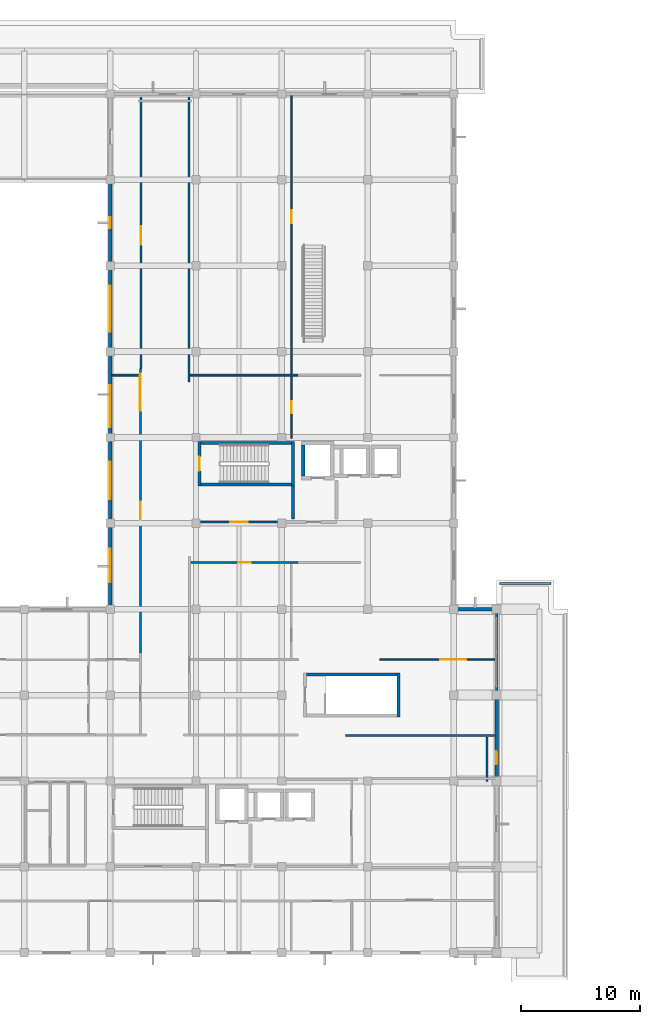
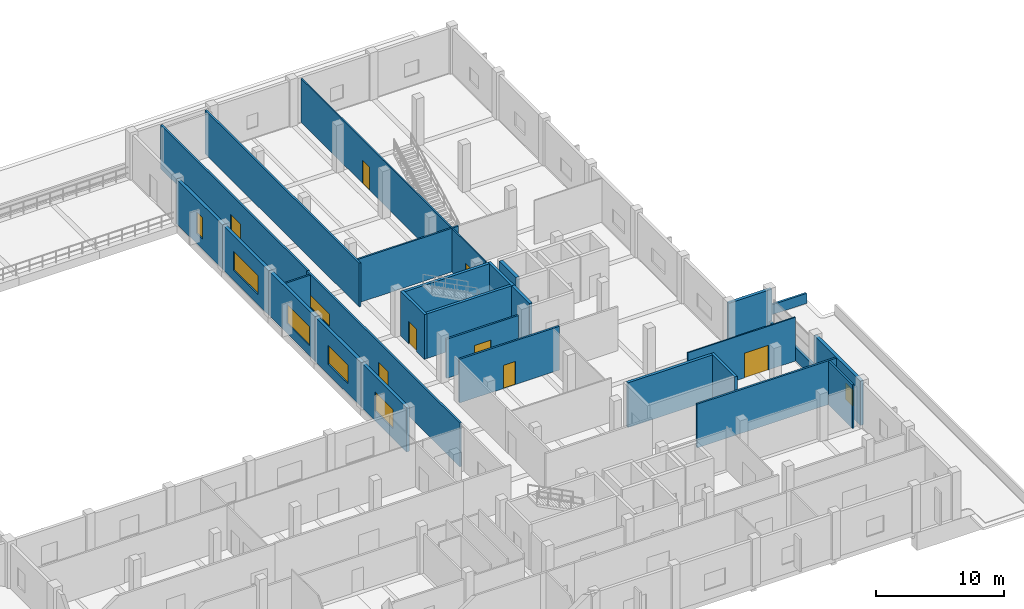
# One storey, part 14 of 24: 29 walls, 8 doors, 7 windows, 15 openings.
"""IFC4 building model written with IfcOpenShell, lengths in metres."""

from ifc_helpers import new_model, si_unit, direction, frame, frame_2d, origin, place, context, subcontext, project, spatial, rectangle, extrude, material, layer, layer_set, type_object, element, fill, save


model = new_model("IFC4")

# Units and contexts
model_context = context("Model", 3, precision=1e-05, world=origin(), true_north=direction((0.0, 1.0)))
body_context = subcontext(model_context, "Body", "Model", "MODEL_VIEW")
ifc_project = project(units=[si_unit("LENGTHUNIT", "METRE"), si_unit("AREAUNIT", "SQUARE_METRE"), si_unit("VOLUMEUNIT", "CUBIC_METRE"), si_unit("PLANEANGLEUNIT", "RADIAN"), si_unit("MASSUNIT", "GRAM", prefix="KILO")], contexts=[model_context])

# Site, building, storey
site_placement = place(None, origin())
site = spatial("IfcSite", under=ifc_project, at=site_placement, CompositionType="ELEMENT")
building_placement = place(site_placement, origin())
building = spatial("IfcBuilding", under=site, at=building_placement, Name="Seraya Terrace Polytechnic", CompositionType="ELEMENT")
storey_placement = place(building_placement, frame((0.0, 0.0, 18.89990234375)))
storey = spatial("IfcBuildingStorey", under=building, at=storey_placement, Name="L04", CompositionType="ELEMENT", Elevation=18.89990234375)

# Wall, opening, window
ifc_material_1 = material(Name="Precast concrete C40/50", Category="concrete")
ifc_layer_1 = layer(ifc_material_1, 0.280029296875, Name="EW-02")
ifc_layer_set_1 = layer_set([ifc_layer_1], Name="Precast concrete C40/50")
wall_type_1 = type_object("IfcWallType", Name="EW-02", PredefinedType="SOLIDWALL", material=ifc_layer_set_1)
wall_1_placement = place(storey_placement, frame((111.60009765625, 21.60009765625, 0.0), z_axis=(0.0, 0.0, 1.0), x_axis=(0.0, -1.0, 0.0)))
wall_1 = element("IfcWall", 1, at=wall_1_placement, inside=storey, type_object=wall_type_1, Name="Exterior structural wall EW-02 L04", PredefinedType="SOLIDWALL", context=body_context, shape_type="SweptSolid", body=[
    extrude(rectangle(XDim=7.2001953125, YDim=0.280029296875, at=frame_2d((3.60009765625, 0.0))), origin(), (0.0, 0.0, 1.0), 4.22021484375),
])
opening_1_placement = place(wall_1_placement, frame((4.7099609375, 0.0, 0.949951171875)))
opening_1 = element("IfcOpeningElement", 2, at=opening_1_placement, cuts=wall_1, Name="Opening WN-13", PredefinedType="OPENING", context=body_context, shape_type="SweptSolid", body=[
    extrude(rectangle(XDim=1.10009765625, YDim=1.550048828125, at=frame_2d((0.550048828125, 0.77490234375))), frame((0.0, 0.15185546875, 0.0), z_axis=(0.0, -1.0, 0.0), x_axis=(1.0, 0.0, 0.0)), (0.0, 0.0, 1.0), 0.303955078125),
])
ifc_material_2 = material(Name="Laminated solar-control Low-E double glazing", Category="glass")
window_type_1 = type_object("IfcWindowType", Name="WN-13", PartitioningType="SINGLE_PANEL", PredefinedType="WINDOW", material=ifc_material_2)
window_1_placement = place(opening_1_placement, origin())
window_1 = element("IfcWindow", 3, at=window_1_placement, inside=storey, type_object=window_type_1, Name="Exterior window WN-13 L04", OverallHeight=1.550048828125, OverallWidth=1.10009765625, PartitioningType="SINGLE_PANEL", PredefinedType="WINDOW", context=body_context, shape_type="SweptSolid", body=[
    extrude(rectangle(XDim=1.10009765625, YDim=1.550048828125, at=frame_2d((0.550048828125, 0.77490234375))), frame((0.0, 0.030029296875, 0.0), z_axis=(0.0, -1.0, 0.0), x_axis=(1.0, 0.0, 0.0)), (0.0, 0.0, 1.0), 0.06005859375),
])
fill(opening_1, window_1)

wall_2_placement = place(storey_placement, frame((79.199951171875, 28.951904296875, 0.0), z_axis=(0.0, 0.0, 1.0), x_axis=(0.0, 1.0, 0.0)))
wall_2 = element("IfcWall", 4, at=wall_2_placement, inside=storey, type_object=wall_type_1, Name="Exterior structural wall EW-02 L04", PredefinedType="SOLIDWALL", context=body_context, shape_type="SweptSolid", body=[
    extrude(rectangle(XDim=7.048095703125, YDim=0.280029296875, at=frame_2d((3.52392578125, 0.0))), origin(), (0.0, 0.0, 1.0), 4.22021484375),
])
opening_2_placement = place(wall_2_placement, frame((2.1240234375, 0.0, 0.949951171875)))
opening_2 = element("IfcOpeningElement", 5, at=opening_2_placement, cuts=wall_2, Name="Opening WN-33", PredefinedType="OPENING", context=body_context, shape_type="SweptSolid", body=[
    extrude(rectangle(XDim=2.800048828125, YDim=1.800048828125, at=frame_2d((1.39990234375, 0.89990234375))), frame((0.0, 0.15185546875, 0.0), z_axis=(0.0, -1.0, 0.0), x_axis=(1.0, 0.0, 0.0)), (0.0, 0.0, 1.0), 0.303955078125),
])
window_type_2 = type_object("IfcWindowType", Name="WN-33", PartitioningType="SINGLE_PANEL", PredefinedType="WINDOW", material=ifc_material_2)
window_2_placement = place(opening_2_placement, origin())
window_2 = element("IfcWindow", 6, at=window_2_placement, inside=storey, type_object=window_type_2, Name="Exterior window WN-33 L04", OverallHeight=1.800048828125, OverallWidth=2.800048828125, PartitioningType="SINGLE_PANEL", PredefinedType="WINDOW", context=body_context, shape_type="SweptSolid", body=[
    extrude(rectangle(XDim=2.800048828125, YDim=1.800048828125, at=frame_2d((1.39990234375, 0.89990234375))), frame((0.0, 0.030029296875, 0.0), z_axis=(0.0, -1.0, 0.0), x_axis=(1.0, 0.0, 0.0)), (0.0, 0.0, 1.0), 0.06005859375),
])
fill(opening_2, window_2)

wall_3_placement = place(storey_placement, frame((79.199951171875, 36.0, 0.0), z_axis=(0.0, 0.0, 1.0), x_axis=(0.0, 1.0, 0.0)))
wall_3 = element("IfcWall", 7, at=wall_3_placement, inside=storey, type_object=wall_type_1, Name="Exterior structural wall EW-02 L04", PredefinedType="SOLIDWALL", context=body_context, shape_type="SweptSolid", body=[
    extrude(rectangle(XDim=7.199951171875, YDim=0.280029296875, at=frame_2d((3.60009765625, 0.0))), origin(), (0.0, 0.0, 1.0), 4.22021484375),
])
opening_3_placement = place(wall_3_placement, frame((2.02490234375, 0.0, 0.949951171875)))
opening_3 = element("IfcOpeningElement", 8, at=opening_3_placement, cuts=wall_3, Name="Opening WN-34", PredefinedType="OPENING", context=body_context, shape_type="SweptSolid", body=[
    extrude(rectangle(XDim=3.14990234375, YDim=1.800048828125, at=frame_2d((1.574951171875, 0.89990234375))), frame((0.0, 0.15185546875, 0.0), z_axis=(0.0, -1.0, 0.0), x_axis=(1.0, 0.0, 0.0)), (0.0, 0.0, 1.0), 0.303955078125),
])
window_type_3 = type_object("IfcWindowType", Name="WN-34", PartitioningType="SINGLE_PANEL", PredefinedType="WINDOW", material=ifc_material_2)
window_3_placement = place(opening_3_placement, origin())
window_3 = element("IfcWindow", 9, at=window_3_placement, inside=storey, type_object=window_type_3, Name="Exterior window WN-34 L04", OverallHeight=1.800048828125, OverallWidth=3.14990234375, PartitioningType="SINGLE_PANEL", PredefinedType="WINDOW", context=body_context, shape_type="SweptSolid", body=[
    extrude(rectangle(XDim=3.14990234375, YDim=1.800048828125, at=frame_2d((1.574951171875, 0.89990234375))), frame((0.0, 0.030029296875, 0.0), z_axis=(0.0, -1.0, 0.0), x_axis=(1.0, 0.0, 0.0)), (0.0, 0.0, 1.0), 0.06005859375),
])
fill(opening_3, window_3)

wall_4_placement = place(storey_placement, frame((79.199951171875, 43.199951171875, 0.0), z_axis=(0.0, 0.0, 1.0), x_axis=(0.0, 1.0, 0.0)))
wall_4 = element("IfcWall", 10, at=wall_4_placement, inside=storey, type_object=wall_type_1, Name="Exterior structural wall EW-02 L04", PredefinedType="SOLIDWALL", context=body_context, shape_type="SweptSolid", body=[
    extrude(rectangle(XDim=7.199951171875, YDim=0.280029296875, at=frame_2d((3.60009765625, 0.0))), origin(), (0.0, 0.0, 1.0), 4.22021484375),
])
opening_4_placement = place(wall_4_placement, frame((0.873291015625, 0.0, 0.949951171875)))
opening_4 = element("IfcOpeningElement", 11, at=opening_4_placement, cuts=wall_4, Name="Opening WN-35", PredefinedType="OPENING", context=body_context, shape_type="SweptSolid", body=[
    extrude(rectangle(XDim=3.5, YDim=1.800048828125, at=frame_2d((1.75, 0.89990234375))), frame((0.0, 0.15185546875, 0.0), z_axis=(0.0, -1.0, 0.0), x_axis=(1.0, 0.0, 0.0)), (0.0, 0.0, 1.0), 0.303955078125),
])
window_type_4 = type_object("IfcWindowType", Name="WN-35", PartitioningType="SINGLE_PANEL", PredefinedType="WINDOW", material=ifc_material_2)
window_4_placement = place(opening_4_placement, origin())
window_4 = element("IfcWindow", 12, at=window_4_placement, inside=storey, type_object=window_type_4, Name="Exterior window WN-35 L04", OverallHeight=1.800048828125, OverallWidth=3.5, PartitioningType="SINGLE_PANEL", PredefinedType="WINDOW", context=body_context, shape_type="SweptSolid", body=[
    extrude(rectangle(XDim=3.5, YDim=1.800048828125, at=frame_2d((1.75, 0.89990234375))), frame((0.0, 0.030029296875, 0.0), z_axis=(0.0, -1.0, 0.0), x_axis=(1.0, 0.0, 0.0)), (0.0, 0.0, 1.0), 0.06005859375),
])
fill(opening_4, window_4)

wall_5_placement = place(storey_placement, frame((79.199951171875, 50.39990234375, 0.0), z_axis=(0.0, 0.0, 1.0), x_axis=(0.0, 1.0, 0.0)))
wall_5 = element("IfcWall", 13, at=wall_5_placement, inside=storey, type_object=wall_type_1, Name="Exterior structural wall EW-02 L04", PredefinedType="SOLIDWALL", context=body_context, shape_type="SweptSolid", body=[
    extrude(rectangle(XDim=7.2001953125, YDim=0.280029296875, at=frame_2d((3.60009765625, 0.0))), origin(), (0.0, 0.0, 1.0), 4.22021484375),
])
opening_5_placement = place(wall_5_placement, frame((1.675048828125, 0.0, 0.949951171875)))
opening_5 = element("IfcOpeningElement", 14, at=opening_5_placement, cuts=wall_5, Name="Opening WN-36", PredefinedType="OPENING", context=body_context, shape_type="SweptSolid", body=[
    extrude(rectangle(XDim=3.85009765625, YDim=1.800048828125, at=frame_2d((1.925048828125, 0.89990234375))), frame((0.0, 0.15185546875, 0.0), z_axis=(0.0, -1.0, 0.0), x_axis=(1.0, 0.0, 0.0)), (0.0, 0.0, 1.0), 0.303955078125),
])
window_type_5 = type_object("IfcWindowType", Name="WN-36", PartitioningType="SINGLE_PANEL", PredefinedType="WINDOW", material=ifc_material_2)
window_5_placement = place(opening_5_placement, origin())
window_5 = element("IfcWindow", 15, at=window_5_placement, inside=storey, type_object=window_type_5, Name="Exterior window WN-36 L04", OverallHeight=1.800048828125, OverallWidth=3.85009765625, PartitioningType="SINGLE_PANEL", PredefinedType="WINDOW", context=body_context, shape_type="SweptSolid", body=[
    extrude(rectangle(XDim=3.85009765625, YDim=1.800048828125, at=frame_2d((1.925048828125, 0.89990234375))), frame((0.0, 0.030029296875, 0.0), z_axis=(0.0, -1.0, 0.0), x_axis=(1.0, 0.0, 0.0)), (0.0, 0.0, 1.0), 0.06005859375),
])
fill(opening_5, window_5)

wall_6_placement = place(storey_placement, frame((79.199951171875, 57.60009765625, 0.0), z_axis=(0.0, 0.0, 1.0), x_axis=(0.0, 1.0, 0.0)))
wall_6 = element("IfcWall", 16, at=wall_6_placement, inside=storey, type_object=wall_type_1, Name="Exterior structural wall EW-02 L04", PredefinedType="SOLIDWALL", context=body_context, shape_type="SweptSolid", body=[
    extrude(rectangle(XDim=7.199951171875, YDim=0.280029296875, at=frame_2d((3.60009765625, 0.0))), origin(), (0.0, 0.0, 1.0), 4.22021484375),
])
opening_6_placement = place(wall_6_placement, frame((3.125, 0.0, 0.949951171875)))
opening_6 = element("IfcOpeningElement", 17, at=opening_6_placement, cuts=wall_6, Name="Opening WN-37", PredefinedType="OPENING", context=body_context, shape_type="SweptSolid", body=[
    extrude(rectangle(XDim=0.949951171875, YDim=2.050048828125, at=frame_2d((0.47509765625, 1.02490234375))), frame((0.0, 0.15185546875, 0.0), z_axis=(0.0, -1.0, 0.0), x_axis=(1.0, 0.0, 0.0)), (0.0, 0.0, 1.0), 0.303955078125),
])
window_type_6 = type_object("IfcWindowType", Name="WN-37", PartitioningType="SINGLE_PANEL", PredefinedType="WINDOW", material=ifc_material_2)
window_6_placement = place(opening_6_placement, origin())
window_6 = element("IfcWindow", 18, at=window_6_placement, inside=storey, type_object=window_type_6, Name="Exterior window WN-37 L04", OverallHeight=2.050048828125, OverallWidth=0.949951171875, PartitioningType="SINGLE_PANEL", PredefinedType="WINDOW", context=body_context, shape_type="SweptSolid", body=[
    extrude(rectangle(XDim=0.949951171875, YDim=2.050048828125, at=frame_2d((0.47509765625, 1.02490234375))), frame((0.0, 0.030029296875, 0.0), z_axis=(0.0, -1.0, 0.0), x_axis=(1.0, 0.0, 0.0)), (0.0, 0.0, 1.0), 0.06005859375),
])
fill(opening_6, window_6)

# Walls
wall_7_placement = place(storey_placement, frame((107.85009765625, 28.800048828125, 0.0), z_axis=(0.0, 0.0, 1.0), x_axis=(1.0, 0.0, 0.0)))
element("IfcWall", 19, at=wall_7_placement, inside=storey, type_object=wall_type_1, Name="Exterior structural wall EW-02 L04", PredefinedType="SOLIDWALL", context=body_context, shape_type="SweptSolid", body=[
    extrude(rectangle(XDim=3.89990234375, YDim=0.280029296875, at=frame_2d((1.949951171875, 0.0))), origin(), (0.0, 0.0, 1.0), 4.22021484375),
])
ifc_layer_2 = layer(ifc_material_1, 0.219970703125, Name="EW-05")
ifc_layer_set_2 = layer_set([ifc_layer_2], Name="Precast concrete C40/50")
wall_type_2 = type_object("IfcWallType", Name="EW-05", PredefinedType="SOLIDWALL", material=ifc_layer_set_2)
wall_8_placement = place(storey_placement, frame((111.60009765625, 28.64794921875, 0.0), z_axis=(0.0, 0.0, 1.0), x_axis=(0.0, -1.0, 0.0)))
element("IfcWall", 20, at=wall_8_placement, inside=storey, type_object=wall_type_2, Name="Precast spandrel wall L04", PredefinedType="SOLIDWALL", context=body_context, shape_type="SweptSolid", body=[
    extrude(rectangle(XDim=7.0478515625, YDim=0.219970703125, at=frame_2d((3.52392578125, 0.0))), origin(), (0.0, 0.0, 1.0), 1.239990234375),
])
ifc_material_3 = material(Name="Autoclaved aerated concrete blockwork", Category="masonry")
ifc_layer_3 = layer(ifc_material_3, 0.169921875, Name="PT-02")
ifc_layer_set_3 = layer_set([ifc_layer_3], Name="Autoclaved aerated concrete blockwork")
wall_type_3 = type_object("IfcWallType", Name="PT-02", PredefinedType="PARTITIONING", material=ifc_layer_set_3)
wall_9_placement = place(storey_placement, frame((98.9384765625, 18.199951171875, 0.0), z_axis=(0.0, 0.0, 1.0), x_axis=(1.0, 0.0, 0.0)))
element("IfcWall", 21, at=wall_9_placement, inside=storey, type_object=wall_type_3, Name="Internal partition PT-02 L04", PredefinedType="PARTITIONING", context=body_context, shape_type="SweptSolid", body=[
    extrude(rectangle(XDim=12.509521484375, YDim=0.169921875, at=frame_2d((6.2548828125, 0.0))), origin(), (0.0, 0.0, 1.0), 4.16015625),
])
wall_10_placement = place(storey_placement, frame((110.800048828125, 14.360107421875, 0.0), z_axis=(0.0, 0.0, 1.0), x_axis=(0.0, 1.0, 0.0)))
element("IfcWall", 22, at=wall_10_placement, inside=storey, type_object=wall_type_3, Name="Internal partition PT-02 L04", PredefinedType="PARTITIONING", context=body_context, shape_type="SweptSolid", body=[
    extrude(rectangle(XDim=3.739990234375, YDim=0.169921875, at=frame_2d((1.8701171875, 0.0))), origin(), (0.0, 0.0, 1.0), 4.16015625),
])

# Wall, openings, door, window
wall_11_placement = place(storey_placement, frame((81.72998046875, 25.13330078125, 0.0), z_axis=(0.0, 0.0, 1.0), x_axis=(0.0, 1.0, 0.0)))
wall_11 = element("IfcWall", 23, at=wall_11_placement, inside=storey, type_object=wall_type_3, Name="Internal partition PT-02 L04", PredefinedType="PARTITIONING", context=body_context, shape_type="SweptSolid", body=[
    extrude(rectangle(XDim=23.853515625, YDim=0.169921875, at=frame_2d((11.9267578125, 0.0))), origin(), (0.0, 0.0, 1.0), 4.16015625),
])
opening_7_placement = place(wall_11_placement, frame((11.186767578125, 0.0, 0.0)))
opening_7 = element("IfcOpeningElement", 24, at=opening_7_placement, cuts=wall_11, Name="Opening ID-11", PredefinedType="OPENING", context=body_context, shape_type="SweptSolid", body=[
    extrude(rectangle(XDim=1.47998046875, YDim=2.260009765625, at=frame_2d((0.739990234375, 1.1298828125))), frame((0.0, 0.096923828125, 0.0), z_axis=(0.0, -1.0, 0.0), x_axis=(1.0, 0.0, 0.0)), (0.0, 0.0, 1.0), 0.19384765625),
])
opening_8_placement = place(wall_11_placement, frame((20.303466796875, 0.0, 1.050048828125)))
opening_8 = element("IfcOpeningElement", 25, at=opening_8_placement, cuts=wall_11, Name="Opening IW-06", PredefinedType="OPENING", context=body_context, shape_type="SweptSolid", body=[
    extrude(rectangle(XDim=3.10009765625, YDim=1.14990234375, at=frame_2d((1.550048828125, 0.574951171875))), frame((0.0, 0.096923828125, 0.0), z_axis=(0.0, -1.0, 0.0), x_axis=(1.0, 0.0, 0.0)), (0.0, 0.0, 1.0), 0.19384765625),
])
ifc_material_4 = material(Name="Malaysian dark red meranti hardwood timber D40", Category="wood")
door_type_1 = type_object("IfcDoorType", Name="ID-11", OperationType="DOUBLE_DOOR_SINGLE_SWING", PredefinedType="DOOR", material=ifc_material_4)
door_1_placement = place(opening_7_placement, origin())
door_1 = element("IfcDoor", 26, at=door_1_placement, inside=storey, type_object=door_type_1, Name="Door ID-11 DR-INT-L04-0216 in WL-INT-L04-0663", OperationType="DOUBLE_DOOR_SINGLE_SWING", OverallHeight=2.260009765625, OverallWidth=1.47998046875, PredefinedType="DOOR", context=body_context, shape_type="SweptSolid", body=[
    extrude(rectangle(XDim=1.47998046875, YDim=2.260009765625, at=frame_2d((0.739990234375, 1.1298828125))), frame((0.0, 0.02490234375, 0.0), z_axis=(0.0, -1.0, 0.0), x_axis=(1.0, 0.0, 0.0)), (0.0, 0.0, 1.0), 0.050048828125),
])
fill(opening_7, door_1)
window_type_7 = type_object("IfcWindowType", Name="IW-06", PartitioningType="SINGLE_PANEL", PredefinedType="WINDOW", material=ifc_material_2)
window_7_placement = place(opening_8_placement, origin())
window_7 = element("IfcWindow", 27, at=window_7_placement, inside=storey, type_object=window_type_7, Name="Internal lab vision window IW-06 L04", OverallHeight=1.14990234375, OverallWidth=3.10009765625, PartitioningType="SINGLE_PANEL", PredefinedType="WINDOW", context=body_context, shape_type="SweptSolid", body=[
    extrude(rectangle(XDim=3.10009765625, YDim=1.14990234375, at=frame_2d((1.550048828125, 0.574951171875))), frame((0.0, 0.030029296875, 0.0), z_axis=(0.0, -1.0, 0.0), x_axis=(1.0, 0.0, 0.0)), (0.0, 0.0, 1.0), 0.06005859375),
])
fill(opening_8, window_7)

# Wall
wall_12_placement = place(storey_placement, frame((85.800048828125, 47.855224609375, 0.0), z_axis=(0.0, 0.0, 1.0), x_axis=(0.0, 1.0, 0.0)))
element("IfcWall", 28, at=wall_12_placement, inside=storey, type_object=wall_type_3, Name="Internal partition PT-02 L04", PredefinedType="PARTITIONING", context=body_context, shape_type="SweptSolid", body=[
    extrude(rectangle(XDim=23.99267578125, YDim=0.169921875, at=frame_2d((11.996337890625, 0.0))), origin(), (0.0, 0.0, 1.0), 4.16015625),
])

# Wall, opening, door
wall_13_placement = place(storey_placement, frame((81.800048828125, 48.98681640625, 0.0), z_axis=(0.0, 0.0, 1.0), x_axis=(0.0, 1.0, 0.0)))
wall_13 = element("IfcWall", 29, at=wall_13_placement, inside=storey, type_object=wall_type_3, Name="Internal partition PT-02 L04", PredefinedType="PARTITIONING", context=body_context, shape_type="SweptSolid", body=[
    extrude(rectangle(XDim=22.861083984375, YDim=0.169921875, at=frame_2d((11.4306640625, 0.0))), origin(), (0.0, 0.0, 1.0), 4.16015625),
])
opening_9_placement = place(wall_13_placement, frame((10.376708984375, 0.0, 0.0)))
opening_9 = element("IfcOpeningElement", 30, at=opening_9_placement, cuts=wall_13, Name="Opening ID-12", PredefinedType="OPENING", context=body_context, shape_type="SweptSolid", body=[
    extrude(rectangle(XDim=1.56005859375, YDim=2.260009765625, at=frame_2d((0.780029296875, 1.1298828125))), frame((0.0, 0.096923828125, 0.0), z_axis=(0.0, -1.0, 0.0), x_axis=(1.0, 0.0, 0.0)), (0.0, 0.0, 1.0), 0.19384765625),
])
door_type_2 = type_object("IfcDoorType", Name="ID-12", OperationType="DOUBLE_DOOR_SINGLE_SWING", PredefinedType="DOOR", material=ifc_material_4)
door_2_placement = place(opening_9_placement, frame((1.56005859375, 0.0, 0.0), z_axis=(0.0, 0.0, 1.0), x_axis=(-1.0, 0.0, 0.0)))
door_2 = element("IfcDoor", 31, at=door_2_placement, inside=storey, type_object=door_type_2, Name="Door ID-12 DR-INT-L04-0217 in WL-INT-L04-0666", OperationType="DOUBLE_DOOR_SINGLE_SWING", OverallHeight=2.260009765625, OverallWidth=1.56005859375, PredefinedType="DOOR", context=body_context, shape_type="SweptSolid", body=[
    extrude(rectangle(XDim=1.56005859375, YDim=2.260009765625, at=frame_2d((0.780029296875, 1.1298828125))), frame((0.0, 0.02490234375, 0.0), z_axis=(0.0, -1.0, 0.0), x_axis=(1.0, 0.0, 0.0)), (0.0, 0.0, 1.0), 0.050048828125),
])
fill(opening_9, door_2)

wall_14_placement = place(storey_placement, frame((86.760009765625, 36.1201171875, 0.0), z_axis=(0.0, 0.0, 1.0), x_axis=(1.0, 0.0, 0.0)))
wall_14 = element("IfcWall", 32, at=wall_14_placement, inside=storey, type_object=wall_type_3, Name="Internal partition PT-02 L04", PredefinedType="PARTITIONING", context=body_context, shape_type="SweptSolid", body=[
    extrude(rectangle(XDim=6.47998046875, YDim=0.169921875, at=frame_2d((3.239990234375, 0.0))), origin(), (0.0, 0.0, 1.0), 3.72998046875),
])
opening_10_placement = place(wall_14_placement, frame((2.5, 0.0, 0.0)))
opening_10 = element("IfcOpeningElement", 33, at=opening_10_placement, cuts=wall_14, Name="Opening ID-11", PredefinedType="OPENING", context=body_context, shape_type="SweptSolid", body=[
    extrude(rectangle(XDim=1.47998046875, YDim=2.260009765625, at=frame_2d((0.739990234375, 1.1298828125))), frame((0.0, 0.096923828125, 0.0), z_axis=(0.0, -1.0, 0.0), x_axis=(1.0, 0.0, 0.0)), (0.0, 0.0, 1.0), 0.19384765625),
])
door_3_placement = place(opening_10_placement, origin())
door_3 = element("IfcDoor", 34, at=door_3_placement, inside=storey, type_object=door_type_1, Name="Door ID-11 DR-INT-L04-0232 in WL-INT-L04-0667", OperationType="DOUBLE_DOOR_SINGLE_SWING", OverallHeight=2.260009765625, OverallWidth=1.47998046875, PredefinedType="DOOR", context=body_context, shape_type="SweptSolid", body=[
    extrude(rectangle(XDim=1.47998046875, YDim=2.260009765625, at=frame_2d((0.739990234375, 1.1298828125))), frame((0.0, 0.02490234375, 0.0), z_axis=(0.0, -1.0, 0.0), x_axis=(1.0, 0.0, 0.0)), (0.0, 0.0, 1.0), 0.050048828125),
])
fill(opening_10, door_3)

wall_15_placement = place(storey_placement, frame((85.969970703125, 32.72998046875, 0.0), z_axis=(0.0, 0.0, 1.0), x_axis=(1.0, 0.0, 0.0)))
wall_15 = element("IfcWall", 35, at=wall_15_placement, inside=storey, type_object=wall_type_3, Name="Internal partition PT-02 L04", PredefinedType="PARTITIONING", context=body_context, shape_type="SweptSolid", body=[
    extrude(rectangle(XDim=8.97998046875, YDim=0.169921875, at=frame_2d((4.489990234375, 0.0))), origin(), (0.0, 0.0, 1.0), 4.16015625),
])
opening_11_placement = place(wall_15_placement, frame((3.949951171875, 0.0, 0.0)))
opening_11 = element("IfcOpeningElement", 36, at=opening_11_placement, cuts=wall_15, Name="Opening ID-05", PredefinedType="OPENING", context=body_context, shape_type="SweptSolid", body=[
    extrude(rectangle(XDim=1.080078125, YDim=2.199951171875, at=frame_2d((0.5400390625, 1.10009765625))), frame((0.0, 0.096923828125, 0.0), z_axis=(0.0, -1.0, 0.0), x_axis=(1.0, 0.0, 0.0)), (0.0, 0.0, 1.0), 0.19384765625),
])
door_type_3 = type_object("IfcDoorType", Name="ID-05", OperationType="NOTDEFINED", PredefinedType="DOOR", material=ifc_material_4)
door_4_placement = place(opening_11_placement, origin())
door_4 = element("IfcDoor", 37, at=door_4_placement, inside=storey, type_object=door_type_3, Name="Door ID-05 DR-INT-L04-0226 in WL-INT-L04-0668", OperationType="SINGLE_SWING_LEFT", OverallHeight=2.199951171875, OverallWidth=1.080078125, PredefinedType="DOOR", context=body_context, shape_type="SweptSolid", body=[
    extrude(rectangle(XDim=1.080078125, YDim=2.199951171875, at=frame_2d((0.5400390625, 1.10009765625))), frame((0.0, 0.02490234375, 0.0), z_axis=(0.0, -1.0, 0.0), x_axis=(1.0, 0.0, 0.0)), (0.0, 0.0, 1.0), 0.050048828125),
])
fill(opening_11, door_4)

# Walls
ifc_layer_4 = layer(ifc_material_3, 0.14990234375, Name="PT-03")
ifc_layer_set_4 = layer_set([ifc_layer_4], Name="Autoclaved aerated concrete blockwork")
wall_type_4 = type_object("IfcWallType", Name="PT-03", PredefinedType="PARTITIONING", material=ifc_layer_set_4)
wall_16_placement = place(storey_placement, frame((85.89990234375, 48.4267578125, 0.0), z_axis=(0.0, 0.0, 1.0), x_axis=(1.0, 0.0, 0.0)))
element("IfcWall", 38, at=wall_16_placement, inside=storey, type_object=wall_type_4, Name="Internal partition PT-03 L04", PredefinedType="PARTITIONING", context=body_context, shape_type="SweptSolid", body=[
    extrude(rectangle(XDim=9.050048828125, YDim=0.14990234375, at=frame_2d((4.52490234375, 0.0))), origin(), (0.0, 0.0, 1.0), 4.16015625),
])
wall_17_placement = place(storey_placement, frame((79.35205078125, 48.4267578125, 0.0), z_axis=(0.0, 0.0, 1.0), x_axis=(1.0, 0.0, 0.0)))
element("IfcWall", 39, at=wall_17_placement, inside=storey, type_object=wall_type_4, Name="Internal partition PT-03 L04", PredefinedType="PARTITIONING", context=body_context, shape_type="SweptSolid", body=[
    extrude(rectangle(XDim=2.27783203125, YDim=0.14990234375, at=frame_2d((1.138916015625, 0.0))), origin(), (0.0, 0.0, 1.0), 4.16015625),
])

# Wall, opening, door
ifc_layer_5 = layer(ifc_material_3, 0.1201171875, Name="PT-05")
ifc_layer_set_5 = layer_set([ifc_layer_5], Name="Autoclaved aerated concrete blockwork")
wall_type_5 = type_object("IfcWallType", Name="PT-05", PredefinedType="PARTITIONING", material=ifc_layer_set_5)
wall_18_placement = place(storey_placement, frame((94.389892578125, 43.123046875, 0.0), z_axis=(0.0, 0.0, 1.0), x_axis=(0.0, 1.0, 0.0)))
wall_18 = element("IfcWall", 40, at=wall_18_placement, inside=storey, type_object=wall_type_5, Name="Internal partition PT-05 L04", PredefinedType="PARTITIONING", context=body_context, shape_type="SweptSolid", body=[
    extrude(rectangle(XDim=5.213623046875, YDim=0.1201171875, at=frame_2d((2.60693359375, 0.0))), origin(), (0.0, 0.0, 1.0), 4.16015625),
])
opening_12_placement = place(wall_18_placement, frame((2.11669921875, 0.0, 0.0)))
opening_12 = element("IfcOpeningElement", 41, at=opening_12_placement, cuts=wall_18, Name="Opening ID-03", PredefinedType="OPENING", context=body_context, shape_type="SweptSolid", body=[
    extrude(rectangle(XDim=0.97998046875, YDim=2.139892578125, at=frame_2d((0.489990234375, 1.06982421875))), frame((0.0, 0.072021484375, 0.0), z_axis=(0.0, -1.0, 0.0), x_axis=(1.0, 0.0, 0.0)), (0.0, 0.0, 1.0), 0.14404296875),
])
door_type_4 = type_object("IfcDoorType", Name="ID-03", OperationType="NOTDEFINED", PredefinedType="DOOR", material=ifc_material_4)
door_5_placement = place(opening_12_placement, origin())
door_5 = element("IfcDoor", 42, at=door_5_placement, inside=storey, type_object=door_type_4, Name="Door ID-03 DR-INT-L04-0240 in WL-INT-L04-0695", OperationType="SINGLE_SWING_LEFT", OverallHeight=2.139892578125, OverallWidth=0.97998046875, PredefinedType="DOOR", context=body_context, shape_type="SweptSolid", body=[
    extrude(rectangle(XDim=0.97998046875, YDim=2.139892578125, at=frame_2d((0.489990234375, 1.06982421875))), frame((0.0, 0.02490234375, 0.0), z_axis=(0.0, -1.0, 0.0), x_axis=(1.0, 0.0, 0.0)), (0.0, 0.0, 1.0), 0.050048828125),
])
fill(opening_12, door_5)

wall_19_placement = place(storey_placement, frame((94.389892578125, 48.5166015625, 0.0), z_axis=(0.0, 0.0, 1.0), x_axis=(0.0, 1.0, 0.0)))
wall_19 = element("IfcWall", 43, at=wall_19_placement, inside=storey, type_object=wall_type_5, Name="Internal partition PT-05 L04", PredefinedType="PARTITIONING", context=body_context, shape_type="SweptSolid", body=[
    extrude(rectangle(XDim=23.331298828125, YDim=0.1201171875, at=frame_2d((11.66552734375, 0.0))), origin(), (0.0, 0.0, 1.0), 4.16015625),
])
opening_13_placement = place(wall_19_placement, frame((12.6416015625, 0.0, 0.0)))
opening_13 = element("IfcOpeningElement", 44, at=opening_13_placement, cuts=wall_19, Name="Opening ID-05", PredefinedType="OPENING", context=body_context, shape_type="SweptSolid", body=[
    extrude(rectangle(XDim=1.080078125, YDim=2.199951171875, at=frame_2d((0.5400390625, 1.10009765625))), frame((0.0, 0.072021484375, 0.0), z_axis=(0.0, -1.0, 0.0), x_axis=(1.0, 0.0, 0.0)), (0.0, 0.0, 1.0), 0.14404296875),
])
door_6_placement = place(opening_13_placement, origin())
door_6 = element("IfcDoor", 45, at=door_6_placement, inside=storey, type_object=door_type_3, Name="Door ID-05 DR-INT-L04-0242 in WL-INT-L04-0698", OperationType="SINGLE_SWING_LEFT", OverallHeight=2.199951171875, OverallWidth=1.080078125, PredefinedType="DOOR", context=body_context, shape_type="SweptSolid", body=[
    extrude(rectangle(XDim=1.080078125, YDim=2.199951171875, at=frame_2d((0.5400390625, 1.10009765625))), frame((0.0, 0.02490234375, 0.0), z_axis=(0.0, -1.0, 0.0), x_axis=(1.0, 0.0, 0.0)), (0.0, 0.0, 1.0), 0.050048828125),
])
fill(opening_13, door_6)

wall_20_placement = place(storey_placement, frame((101.800048828125, 24.5732421875, 0.0), z_axis=(0.0, 0.0, 1.0), x_axis=(1.0, 0.0, 0.0)))
wall_20 = element("IfcWall", 46, at=wall_20_placement, inside=storey, type_object=wall_type_5, Name="Internal partition PT-05 L04", PredefinedType="PARTITIONING", context=body_context, shape_type="SweptSolid", body=[
    extrude(rectangle(XDim=9.677978515625, YDim=0.1201171875, at=frame_2d((4.8388671875, 0.0))), origin(), (0.0, 0.0, 1.0), 4.16015625),
])
opening_14_placement = place(wall_20_placement, frame((5.074951171875, 0.0, 0.0)))
opening_14 = element("IfcOpeningElement", 47, at=opening_14_placement, cuts=wall_20, Name="Opening ID-18", PredefinedType="OPENING", context=body_context, shape_type="SweptSolid", body=[
    extrude(rectangle(XDim=2.159912109375, YDim=2.35009765625, at=frame_2d((1.080078125, 1.175048828125))), frame((0.0, 0.072021484375, 0.0), z_axis=(0.0, -1.0, 0.0), x_axis=(1.0, 0.0, 0.0)), (0.0, 0.0, 1.0), 0.14404296875),
])
door_type_5 = type_object("IfcDoorType", Name="ID-18", OperationType="DOUBLE_DOOR_SINGLE_SWING", PredefinedType="DOOR", material=ifc_material_4)
door_7_placement = place(opening_14_placement, frame((2.159912109375, 0.0, 0.0), z_axis=(0.0, 0.0, 1.0), x_axis=(-1.0, 0.0, 0.0)))
door_7 = element("IfcDoor", 48, at=door_7_placement, inside=storey, type_object=door_type_5, Name="Door ID-18 DR-INT-L04-0239 in WL-INT-L04-0701", OperationType="DOUBLE_DOOR_SINGLE_SWING", OverallHeight=2.35009765625, OverallWidth=2.159912109375, PredefinedType="DOOR", context=body_context, shape_type="SweptSolid", body=[
    extrude(rectangle(XDim=2.159912109375, YDim=2.35009765625, at=frame_2d((1.080078125, 1.175048828125))), frame((0.0, 0.02490234375, 0.0), z_axis=(0.0, -1.0, 0.0), x_axis=(1.0, 0.0, 0.0)), (0.0, 0.0, 1.0), 0.050048828125),
])
fill(opening_14, door_7)

# Walls
ifc_layer_6 = layer(ifc_material_1, 0.179931640625, Name="PW-P2")
ifc_layer_set_6 = layer_set([ifc_layer_6], Name="Precast concrete C40/50")
wall_type_6 = type_object("IfcWallType", Name="PW-P2", PredefinedType="PARAPET", material=ifc_layer_set_6)
wall_21_placement = place(storey_placement, frame((111.85009765625, 30.949951171875, 0.0), z_axis=(0.0, 0.0, 1.0), x_axis=(1.0, 0.0, 0.0)))
element("IfcWall", 49, at=wall_21_placement, inside=storey, type_object=wall_type_6, Name="Roof parapet ROOF-L04-SE 7.1", PredefinedType="PARAPET", context=body_context, shape_type="SweptSolid", body=[
    extrude(rectangle(XDim=4.2998046875, YDim=0.179931640625, at=frame_2d((2.14990234375, 0.0))), origin(), (0.0, 0.0, 1.0), 0.9501953125),
])
ifc_material_5 = material(Name="Concrete C40/50", Category="concrete")
ifc_layer_7 = layer(ifc_material_5, 0.300048828125, Name="SW-01")
ifc_layer_set_7 = layer_set([ifc_layer_7], Name="Concrete C40/50")
wall_type_7 = type_object("IfcWallType", Name="SW-01", PredefinedType="SHEAR", material=ifc_layer_set_7)
wall_22_placement = place(storey_placement, frame((95.39990234375, 39.949951171875, 0.0), z_axis=(0.0, 0.0, 1.0), x_axis=(0.0, 1.0, 0.0)))
element("IfcWall", 50, at=wall_22_placement, inside=storey, type_object=wall_type_7, Name="Lift shaft FL-02 West wall L04", PredefinedType="SHEAR", context=body_context, shape_type="SweptSolid", body=[
    extrude(rectangle(XDim=2.60009765625, YDim=0.300048828125, at=frame_2d((1.300048828125, 0.0))), origin(), (0.0, 0.0, 1.0), 4.25),
])

# Wall, opening, door
ifc_layer_8 = layer(ifc_material_5, 0.25, Name="SW-02")
ifc_layer_set_8 = layer_set([ifc_layer_8], Name="Concrete C40/50")
wall_type_8 = type_object("IfcWallType", Name="SW-02", PredefinedType="SHEAR", material=ifc_layer_set_8)
wall_23_placement = place(storey_placement, frame((86.675048828125, 39.14990234375, 0.0), z_axis=(0.0, 0.0, 1.0), x_axis=(0.0, 1.0, 0.0)))
wall_23 = element("IfcWall", 51, at=wall_23_placement, inside=storey, type_object=wall_type_8, Name="Stairwell ST-02 West wall L04", PredefinedType="SHEAR", context=body_context, shape_type="SweptSolid", body=[
    extrude(rectangle(XDim=3.7001953125, YDim=0.25, at=frame_2d((1.85009765625, 0.0))), origin(), (0.0, 0.0, 1.0), 4.25),
])
opening_15_placement = place(wall_23_placement, frame((1.25, 0.0, 0.0)))
opening_15 = element("IfcOpeningElement", 52, at=opening_15_placement, cuts=wall_23, Name="Opening FD-01", PredefinedType="OPENING", context=body_context, shape_type="SweptSolid", body=[
    extrude(rectangle(XDim=1.199951171875, YDim=2.14990234375, at=frame_2d((0.60009765625, 1.074951171875))), frame((0.0, 0.136962890625, 0.0), z_axis=(0.0, -1.0, 0.0), x_axis=(1.0, 0.0, 0.0)), (0.0, 0.0, 1.0), 0.27392578125),
])
ifc_material_6 = material(Name="Steel S355J2", Category="steel")
door_type_6 = type_object("IfcDoorType", Name="FD-01", OperationType="NOTDEFINED", PredefinedType="DOOR", material=ifc_material_6)
door_8_placement = place(opening_15_placement, frame((1.199951171875, 0.0, 0.0), z_axis=(0.0, 0.0, 1.0), x_axis=(-1.0, 0.0, 0.0)))
door_8 = element("IfcDoor", 53, at=door_8_placement, inside=storey, type_object=door_type_6, Name="Door FD-01 DR-STR-ST-02-L04 in WL-STR-ST-02-L04-W", OperationType="SINGLE_SWING_LEFT", OverallHeight=2.14990234375, OverallWidth=1.199951171875, PredefinedType="DOOR", context=body_context, shape_type="SweptSolid", body=[
    extrude(rectangle(XDim=1.199951171875, YDim=2.14990234375, at=frame_2d((0.60009765625, 1.074951171875))), frame((0.0, 0.02490234375, 0.0), z_axis=(0.0, -1.0, 0.0), x_axis=(1.0, 0.0, 0.0)), (0.0, 0.0, 1.0), 0.050048828125),
])
fill(opening_15, door_8)

# Walls
wall_24_placement = place(storey_placement, frame((94.52490234375, 39.14990234375, 0.0), z_axis=(0.0, 0.0, 1.0), x_axis=(0.0, 1.0, 0.0)))
element("IfcWall", 54, at=wall_24_placement, inside=storey, type_object=wall_type_8, Name="Stairwell ST-02 East wall L04", PredefinedType="SHEAR", context=body_context, shape_type="SweptSolid", body=[
    extrude(rectangle(XDim=3.7001953125, YDim=0.25, at=frame_2d((1.85009765625, 0.0))), origin(), (0.0, 0.0, 1.0), 4.25),
])
for number, where, z_axis, x_axis, name in (
    (55, (86.800048828125, 39.27490234375, 0.0), (0.0, 0.0, 1.0), (1.0, 0.0, 0.0), "Stairwell ST-02 South wall L04"),
    (56, (86.800048828125, 42.72509765625, 0.0), (0.0, 0.0, 1.0), (1.0, 0.0, 0.0), "Stairwell ST-02 North wall L04"),
):
    element("IfcWall", number, at=place(storey_placement, frame(where, z_axis=z_axis, x_axis=x_axis)), inside=storey, type_object=wall_type_8, Name=name, PredefinedType="SHEAR", context=body_context, shape_type="SweptSolid", body=[
        extrude(rectangle(XDim=7.599853515625, YDim=0.25, at=frame_2d((3.7998046875, 0.0))), origin(), (0.0, 0.0, 1.0), 4.25),
    ])
wall_25_placement = place(storey_placement, frame((103.375, 19.75, 0.0), z_axis=(0.0, 0.0, 1.0), x_axis=(0.0, 1.0, 0.0)))
element("IfcWall", 57, at=wall_25_placement, inside=storey, type_object=wall_type_8, Name="Stairwell ST-05 East wall L04", PredefinedType="SHEAR", context=body_context, shape_type="SweptSolid", body=[
    extrude(rectangle(XDim=3.699951171875, YDim=0.25, at=frame_2d((1.85009765625, 0.0))), origin(), (0.0, 0.0, 1.0), 4.25),
])
wall_26_placement = place(storey_placement, frame((95.64990234375, 23.324951171875, 0.0), z_axis=(0.0, 0.0, 1.0), x_axis=(1.0, 0.0, 0.0)))
element("IfcWall", 58, at=wall_26_placement, inside=storey, type_object=wall_type_8, Name="Stairwell ST-05 North wall L04", PredefinedType="SHEAR", context=body_context, shape_type="SweptSolid", body=[
    extrude(rectangle(XDim=7.60009765625, YDim=0.25, at=frame_2d((3.800048828125, 0.0))), origin(), (0.0, 0.0, 1.0), 4.25),
])
wall_27_placement = place(storey_placement, frame((94.52490234375, 36.375, 0.0), z_axis=(0.0, 0.0, 1.0), x_axis=(0.0, 1.0, 0.0)))
element("IfcWall", 59, at=wall_27_placement, inside=storey, type_object=wall_type_8, Name="Firefighting lobby B West wall L04", PredefinedType="SHEAR", context=body_context, shape_type="SweptSolid", body=[
    extrude(rectangle(XDim=2.77001953125, YDim=0.25, at=frame_2d((1.385009765625, 0.0))), origin(), (0.0, 0.0, 1.0), 4.25),
])

save(model, "model.ifc")
